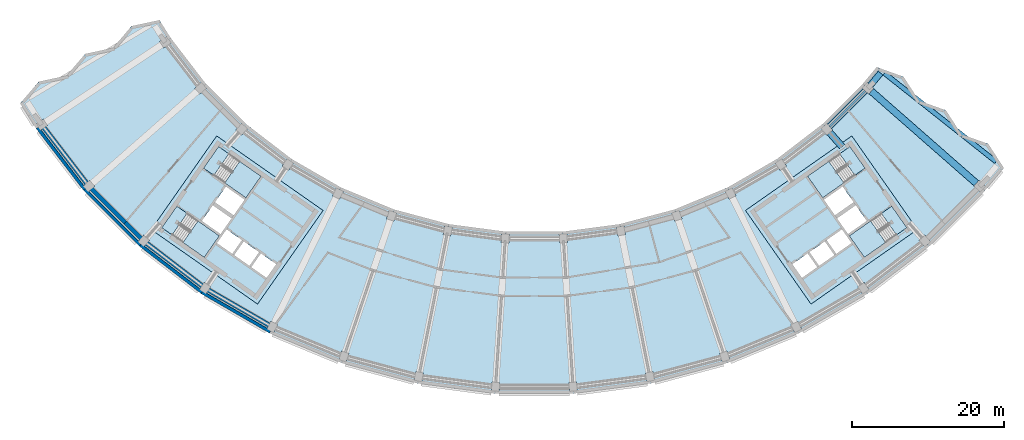
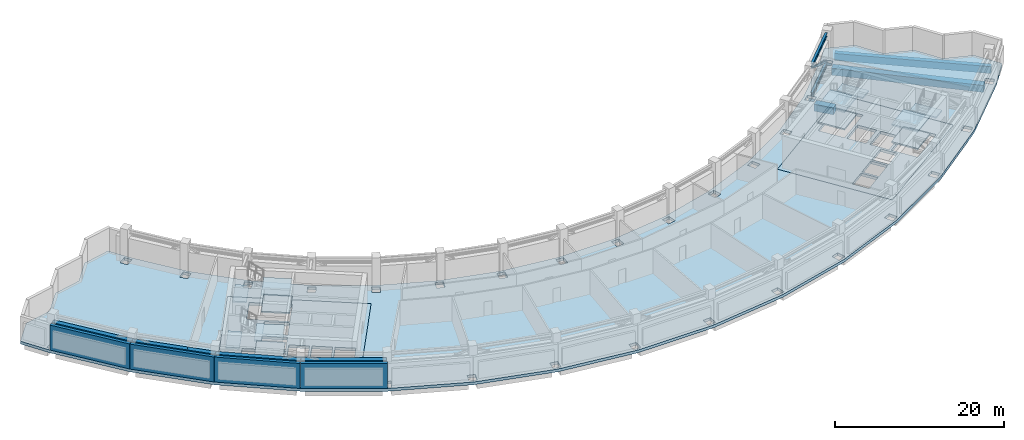
# One storey, part 4 of 24: 15 slabs, 9 walls, 5 beams, 3 members, 4 elements without a shape of their own.
"""IFC4 building model written with IfcOpenShell, lengths in metres."""

from ifc_helpers import new_model, si_unit, direction, frame, frame_2d, origin, origin_2d, place, context, subcontext, project, spatial, polyline, rectangle, hollow_rectangle, i_section, outline, extrude, material, layer, layer_set, material_profile, profile_set, type_object, element, aggregate, save


model = new_model("IFC4")

# Units and contexts
model_context = context("Model", 3, precision=1e-05, world=origin(), true_north=direction((0.0, 1.0)))
body_context = subcontext(model_context, "Body", "Model", "MODEL_VIEW")
ifc_project = project(units=[si_unit("LENGTHUNIT", "METRE"), si_unit("AREAUNIT", "SQUARE_METRE"), si_unit("VOLUMEUNIT", "CUBIC_METRE"), si_unit("PLANEANGLEUNIT", "RADIAN"), si_unit("MASSUNIT", "GRAM", prefix="KILO")], contexts=[model_context])

# Site, building, storey
site_placement = place(None, origin())
site = spatial("IfcSite", under=ifc_project, at=site_placement, CompositionType="ELEMENT")
building_placement = place(site_placement, origin())
building = spatial("IfcBuilding", under=site, at=building_placement, Name="Qamariyya Broadcast Tower", CompositionType="ELEMENT")
storey_placement = place(building_placement, frame((0.0, 0.0, 253.10009765625)))
storey = spatial("IfcBuildingStorey", under=building, at=storey_placement, Name="L61", CompositionType="ELEMENT", Elevation=253.10009765625)

# Members
ifc_material_1 = material(Name="Steel S355", Category="steel")
ifc_material_profile_1 = material_profile(ifc_material_1, i_section(OverallWidth=0.300048828125, OverallDepth=0.5, WebThickness=0.014404296875, FlangeThickness=0.028076171875, FilletRadius=0.027099609375, at=origin_2d()))
ifc_profile_set_1 = profile_set([ifc_material_profile_1], Name="Steel S355")
member_type_1 = type_object("IfcMemberType", Name="Belt truss bottom chord HEB 500", PredefinedType="CHORD", material=ifc_profile_set_1)
member_1_placement = place(storey_placement, frame((38.76123046875, -43.4404296875, 0.25), z_axis=(0.707106781187, 0.707106781187, 0.0), x_axis=(-0.707106781187, 0.707106781187, 0.0)))
element("IfcMember", 1, at=member_1_placement, inside=storey, type_object=member_type_1, Name="Belt truss bottom chord T28 L61 B-R16", PredefinedType="CHORD", context=body_context, shape_type="SweptSolid", body=[
    extrude(i_section(OverallWidth=0.300048828125, OverallDepth=0.5, WebThickness=0.014404296875, FlangeThickness=0.028076171875, FilletRadius=0.027099609375, at=origin_2d()), origin(), (0.0, 0.0, 1.0), 6.617431640625),
])
ifc_material_profile_2 = material_profile(ifc_material_1, hollow_rectangle(XDim=0.25, YDim=0.25, WallThickness=0.010009765625, InnerFilletRadius=0.010009765625, OuterFilletRadius=0.02001953125, at=origin_2d()))
ifc_profile_set_2 = profile_set([ifc_material_profile_2], Name="Steel S355")
member_type_2 = type_object("IfcMemberType", Name="Belt truss diagonal RHS 250x250x10", PredefinedType="BRACE", material=ifc_profile_set_2)
member_2_placement = place(storey_placement, frame((38.804443359375, -43.397216796875, 4.089599609375), z_axis=(0.623302826778, 0.623302826778, -0.472215175805), x_axis=(-0.707106781187, 0.707106781187, 0.0)))
element("IfcMember", 2, at=member_2_placement, inside=storey, type_object=member_type_2, Name="Belt truss diagonal T29 L61 B-R16", PredefinedType="BRACE", context=body_context, shape_type="SweptSolid", body=[
    extrude(hollow_rectangle(XDim=0.25, YDim=0.25, WallThickness=0.010009765625, InnerFilletRadius=0.010009765625, OuterFilletRadius=0.02001953125, at=origin_2d()), origin(), (0.0, 0.0, 1.0), 7.368408203125),
])
ifc_material_profile_3 = material_profile(ifc_material_1, i_section(OverallWidth=0.300048828125, OverallDepth=0.5, WebThickness=0.014404296875, FlangeThickness=0.028076171875, FilletRadius=0.027099609375, at=origin_2d()))
ifc_profile_set_3 = profile_set([ifc_material_profile_3], Name="Steel S355")
member_type_3 = type_object("IfcMemberType", Name="Belt truss top chord HEB 500", PredefinedType="CHORD", material=ifc_profile_set_3)
member_3_placement = place(storey_placement, frame((38.76123046875, -43.4404296875, 4.449951171875), z_axis=(0.707106781187, 0.707106781187, 0.0), x_axis=(-0.707106781187, 0.707106781187, 0.0)))
element("IfcMember", 3, at=member_3_placement, inside=storey, type_object=member_type_3, Name="Belt truss top chord T27 L61 B-R16", PredefinedType="CHORD", context=body_context, shape_type="SweptSolid", body=[
    extrude(i_section(OverallWidth=0.300048828125, OverallDepth=0.5, WebThickness=0.014404296875, FlangeThickness=0.028076171875, FilletRadius=0.027099609375, at=origin_2d()), origin(), (0.0, 0.0, 1.0), 6.617431640625),
])

# Beams
ifc_material_2 = material(Name="Concrete C40/50", Category="concrete")
ifc_material_profile_4 = material_profile(ifc_material_2, rectangle(XDim=0.800048828125, YDim=1.0, at=origin_2d()))
ifc_profile_set_4 = profile_set([ifc_material_profile_4], Name="Concrete C40/50")
beam_type_1 = type_object("IfcBeamType", Name="RC edge beam 800 x 1000 C40/50", PredefinedType="SPANDREL", material=ifc_profile_set_4)
beam_1_placement = place(storey_placement, frame((38.76123046875, -43.4404296875, -0.900146484375), z_axis=(0.707106781187, 0.707106781187, 0.0), x_axis=(-0.707106781187, 0.707106781187, 0.0)))
element("IfcBeam", 4, at=beam_1_placement, inside=storey, type_object=beam_type_1, Name="Edge beam B24 L61 B R16-R17", PredefinedType="SPANDREL", context=body_context, shape_type="SweptSolid", body=[
    extrude(rectangle(XDim=0.800048828125, YDim=1.0, at=origin_2d()), origin(), (0.0, 0.0, 1.0), 6.617431640625),
])
ifc_material_profile_5 = material_profile(ifc_material_2, rectangle(XDim=0.800048828125, YDim=1.0, at=origin_2d()))
ifc_profile_set_5 = profile_set([ifc_material_profile_5], Name="Concrete C40/50")
beam_type_2 = type_object("IfcBeamType", Name="RC horn beam 800 x 1000 C40/50", PredefinedType="BEAM", material=ifc_profile_set_5)
beam_2_placement = place(storey_placement, frame((44.114990234375, -38.022705078125, -0.900146484375), z_axis=(0.640506068258, 0.767953108285, 0.0), x_axis=(-0.767953108285, 0.640506068258, 0.0)))
element("IfcBeam", 5, at=beam_2_placement, inside=storey, type_object=beam_type_2, Name="Horn beam B25 L61 E B-R17", PredefinedType="BEAM", context=body_context, shape_type="SweptSolid", body=[
    extrude(rectangle(XDim=0.800048828125, YDim=1.0, at=origin_2d()), origin(), (0.0, 0.0, 1.0), 2.08984375),
])
ifc_material_profile_6 = material_profile(ifc_material_2, rectangle(XDim=0.60009765625, YDim=1.0, at=origin_2d()))
ifc_profile_set_6 = profile_set([ifc_material_profile_6], Name="Concrete C40/50")
beam_type_3 = type_object("IfcBeamType", Name="RC horn cap beam 600 x 1000 C40/50", PredefinedType="BEAM", material=ifc_profile_set_6)
beam_3_placement = place(storey_placement, frame((45.959228515625, -36.435791015625, -0.900146484375), z_axis=(0.783611202233, -0.621251546263, 0.0), x_axis=(0.621251546263, 0.783611202233, 0.0)))
element("IfcBeam", 6, at=beam_3_placement, inside=storey, type_object=beam_type_3, Name="Horn cap beam B26 L61 E B-C", PredefinedType="BEAM", context=body_context, shape_type="SweptSolid", body=[
    extrude(rectangle(XDim=0.60009765625, YDim=1.0, at=origin_2d()), origin(), (0.0, 0.0, 1.0), 18.699951171875),
])
ifc_material_profile_7 = material_profile(ifc_material_2, rectangle(XDim=0.89990234375, YDim=1.0, at=origin_2d()))
ifc_profile_set_7 = profile_set([ifc_material_profile_7], Name="Concrete C40/50")
beam_type_4 = type_object("IfcBeamType", Name="RC radial beam 900 x 1000 C40/50", PredefinedType="BEAM", material=ifc_profile_set_7)
beam_4_placement = place(storey_placement, frame((38.7861328125, -44.22705078125, -0.900146484375), z_axis=(0.659347500472, -0.751838329444, 0.0), x_axis=(0.751838329444, 0.659347500472, 0.0)))
element("IfcBeam", 7, at=beam_4_placement, inside=storey, type_object=beam_type_4, Name="Radial beam B23 L61 R16 B-C", PredefinedType="BEAM", context=body_context, shape_type="SweptSolid", body=[
    extrude(rectangle(XDim=0.89990234375, YDim=1.0, at=origin_2d()), origin(), (0.0, 0.0, 1.0), 2.43896484375),
])
beam_5_placement = place(storey_placement, frame((44.22705078125, -38.7861328125, -0.900146484375), z_axis=(0.751840222646, -0.659345341692, 0.0), x_axis=(0.659345341692, 0.751840222646, 0.0)))
element("IfcBeam", 8, at=beam_5_placement, inside=storey, type_object=beam_type_4, Name="Radial beam B23 L61 R17 B-C", PredefinedType="BEAM", context=body_context, shape_type="SweptSolid", body=[
    extrude(rectangle(XDim=0.89990234375, YDim=1.0, at=origin_2d()), origin(), (0.0, 0.0, 1.0), 18.349853515625),
])

# Slabs
ifc_layer_1 = layer(ifc_material_2, 0.39990234375)
ifc_layer_set_1 = layer_set([ifc_layer_1], Name="Core floor slab 400 mm Concrete C40/50")
slab_type_1 = type_object("IfcSlabType", Name="Core floor slab 400 mm Concrete C40/50", PredefinedType="FLOOR", material=ifc_layer_set_1)
slab_1_placement = place(storey_placement, frame((0.0, 0.0, -0.400146484375)))
element("IfcSlab", 9, at=slab_1_placement, inside=storey, type_object=slab_type_1, Name="k-W-L61-slab", PredefinedType="FLOOR", context=body_context, shape_type="SweptSolid", body=[
    extrude(outline(polyline([(-50.286376953125, -56.95751953125), (-36.32373046875, -66.734375), (-27.719970703125, -54.447021484375), (-41.6826171875, -44.67041015625), (-50.286376953125, -56.95751953125)]), holes=[polyline([(-33.87353515625, -61.49169921875), (-35.88037109375, -60.08642578125), (-37.142333984375, -61.888427734375), (-35.13525390625, -63.293701171875), (-33.87353515625, -61.49169921875)]), polyline([(-36.126220703125, -59.914306640625), (-38.133056640625, -58.509033203125), (-39.394775390625, -60.311279296875), (-37.387939453125, -61.716552734375), (-36.126220703125, -59.914306640625)]), polyline([(-38.378662109375, -58.3369140625), (-40.3857421875, -56.931640625), (-41.6474609375, -58.73388671875), (-39.640625, -60.13916015625), (-38.378662109375, -58.3369140625)]), polyline([(-39.742431640625, -55.489990234375), (-42.199951171875, -53.769287109375), (-43.6337890625, -55.817138671875), (-41.17626953125, -57.537841796875), (-39.742431640625, -55.489990234375)]), polyline([(-39.45556640625, -55.080322265625), (-41.9130859375, -53.359619140625), (-40.47900390625, -51.311767578125), (-38.021728515625, -53.032470703125), (-39.45556640625, -55.080322265625)]), polyline([(-42.06103515625, -49.837890625), (-37.849609375, -52.78662109375), (-35.870849609375, -49.960693359375), (-40.082275390625, -47.01171875), (-42.06103515625, -49.837890625)]), polyline([(-47.538818359375, -57.66064453125), (-43.3271484375, -60.609619140625), (-41.348388671875, -57.783447265625), (-45.559814453125, -54.834716796875), (-47.538818359375, -57.66064453125)])]), origin(), (0.0, 0.0, 1.0), 0.400146484375),
])
slab_2_placement = place(storey_placement, frame((0.0, 0.0, -0.400146484375)))
element("IfcSlab", 10, at=slab_2_placement, inside=storey, type_object=slab_type_1, Name="k-E-L61-slab", PredefinedType="FLOOR", context=body_context, shape_type="SweptSolid", body=[
    extrude(outline(polyline([(36.32373046875, -66.734375), (50.286376953125, -56.95751953125), (41.6826171875, -44.67041015625), (27.719970703125, -54.447021484375), (36.32373046875, -66.734375)]), holes=[polyline([(33.87353515625, -61.49169921875), (35.88037109375, -60.08642578125), (37.142333984375, -61.888427734375), (35.13525390625, -63.293701171875), (33.87353515625, -61.49169921875)]), polyline([(36.126220703125, -59.914306640625), (38.133056640625, -58.509033203125), (39.394775390625, -60.311279296875), (37.387939453125, -61.716552734375), (36.126220703125, -59.914306640625)]), polyline([(38.378662109375, -58.3369140625), (40.3857421875, -56.931640625), (41.6474609375, -58.73388671875), (39.640625, -60.13916015625), (38.378662109375, -58.3369140625)]), polyline([(39.742431640625, -55.489990234375), (42.199951171875, -53.769287109375), (43.6337890625, -55.817138671875), (41.17626953125, -57.537841796875), (39.742431640625, -55.489990234375)]), polyline([(39.45556640625, -55.080322265625), (41.9130859375, -53.359619140625), (40.47900390625, -51.311767578125), (38.021728515625, -53.032470703125), (39.45556640625, -55.080322265625)]), polyline([(40.082275390625, -47.01171875), (35.870849609375, -49.960693359375), (37.849609375, -52.78662109375), (42.06103515625, -49.837890625), (40.082275390625, -47.01171875)]), polyline([(45.559814453125, -54.834716796875), (41.348388671875, -57.783447265625), (43.3271484375, -60.609619140625), (47.538818359375, -57.66064453125), (45.559814453125, -54.834716796875)])]), origin(), (0.0, 0.0, 1.0), 0.400146484375),
])
ifc_layer_2 = layer(ifc_material_2, 0.39990234375)
ifc_layer_set_2 = layer_set([ifc_layer_2], Name="Post-tensioned floor slab 400 C40/50")
slab_type_2 = type_object("IfcSlabType", Name="Post-tensioned floor slab 400 C40/50", PredefinedType="FLOOR", material=ifc_layer_set_2)
slab_3_placement = place(storey_placement, frame((0.0, 0.0, -0.400146484375)))
element("IfcSlab", 11, at=slab_3_placement, inside=storey, type_object=slab_type_2, Name="Floor slab S3 L61", PredefinedType="FLOOR", context=body_context, shape_type="SweptSolid", body=[
    extrude(outline(polyline([(-65.044189453125, -37.540283203125), (-67.48193359375, -40.398193359375), (-65.39501953125, -43.695556640625), (-59.132080078125, -51.857666015625), (-51.857666015625, -59.132080078125), (-43.695556640625, -65.39501953125), (-34.785888671875, -70.5390625), (-25.28125, -74.47607421875), (-15.34375, -77.138671875), (-5.14404296875, -78.481689453125), (5.14404296875, -78.481689453125), (15.34375, -77.138671875), (25.28125, -74.47607421875), (34.785888671875, -70.5390625), (43.695556640625, -65.39501953125), (51.857666015625, -59.132080078125), (59.132080078125, -51.857666015625), (61.631591796875, -48.86083984375), (59.587646484375, -45.708984375), (56.06787109375, -44.449951171875), (54.023193359375, -41.297607421875), (50.504150390625, -40.0390625), (48.45849609375, -36.885986328125), (44.9404296875, -35.628173828125), (43.117919921875, -37.8134765625), (37.8134765625, -43.117919921875), (31.862060546875, -47.684814453125), (25.365234375, -51.435546875), (18.4345703125, -54.306396484375), (11.1884765625, -56.248046875), (3.7509765625, -57.227294921875), (-3.7509765625, -57.227294921875), (-11.1884765625, -56.248046875), (-18.4345703125, -54.306396484375), (-25.365234375, -51.435546875), (-31.862060546875, -47.684814453125), (-37.8134765625, -43.117919921875), (-43.117919921875, -37.8134765625), (-47.684814453125, -31.862060546875), (-49.20654296875, -29.45751953125), (-52.858642578125, -30.245361328125), (-55.29833984375, -33.1044921875), (-58.951416015625, -33.892822265625), (-61.39013671875, -36.751220703125), (-65.044189453125, -37.540283203125)]), holes=[polyline([(-5.62158203125, -78.12451171875), (-5.54638671875, -76.97705078125), (-4.548583984375, -77.04248046875), (-4.623779296875, -78.18994140625), (-5.62158203125, -78.12451171875)]), polyline([(-15.770751953125, -76.722412109375), (-15.54638671875, -75.594482421875), (-14.565673828125, -75.78955078125), (-14.7900390625, -76.91748046875), (-15.770751953125, -76.722412109375)]), polyline([(-25.650146484375, -74.007568359375), (-25.280517578125, -72.918701171875), (-24.333740234375, -73.239990234375), (-24.703369140625, -74.3291015625), (-25.650146484375, -74.007568359375)]), polyline([(-35.090576171875, -70.0263671875), (-34.58203125, -68.9951171875), (-33.685302734375, -69.437255859375), (-34.19384765625, -70.46875), (-35.090576171875, -70.0263671875)]), polyline([(-43.9306640625, -64.84716796875), (-43.291748046875, -63.890869140625), (-42.46044921875, -64.446533203125), (-43.099365234375, -65.402587890625), (-43.9306640625, -64.84716796875)]), polyline([(-52.019287109375, -58.55810546875), (-51.260986328125, -57.693603515625), (-50.509033203125, -58.35302734375), (-51.267333984375, -59.217529296875), (-52.019287109375, -58.55810546875)]), polyline([(-11.966552734375, -57.59716796875), (-11.7421875, -56.46923828125), (-10.761474609375, -56.664306640625), (-10.98583984375, -57.792236328125), (-11.966552734375, -57.59716796875)]), polyline([(-50.286376953125, -56.95751953125), (-41.6826171875, -44.67041015625), (-27.719970703125, -54.447021484375), (-36.32373046875, -66.734375), (-50.286376953125, -56.95751953125)]), polyline([(-19.382080078125, -55.54248046875), (-19.012451171875, -54.453369140625), (-18.065673828125, -54.77490234375), (-18.435302734375, -55.86376953125), (-19.382080078125, -55.54248046875)]), polyline([(-26.466064453125, -52.537353515625), (-25.95751953125, -51.506103515625), (-25.060546875, -51.9482421875), (-25.569091796875, -52.979736328125), (-26.466064453125, -52.537353515625)]), polyline([(-59.217529296875, -51.267333984375), (-58.35302734375, -50.509033203125), (-57.693603515625, -51.260986328125), (-58.55810546875, -52.019287109375), (-59.217529296875, -51.267333984375)]), polyline([(-33.09716796875, -48.63330078125), (-32.458251953125, -47.67724609375), (-31.626708984375, -48.23291015625), (-32.265625, -49.18896484375), (-33.09716796875, -48.63330078125)]), polyline([(-39.161865234375, -43.897216796875), (-38.40380859375, -43.03271484375), (-37.65185546875, -43.692138671875), (-38.41015625, -44.556640625), (-39.161865234375, -43.897216796875)]), polyline([(-65.402587890625, -43.099365234375), (-64.446533203125, -42.46044921875), (-63.890869140625, -43.291748046875), (-64.84716796875, -43.9306640625), (-65.402587890625, -43.099365234375)]), polyline([(-44.556640625, -38.41015625), (-43.692138671875, -37.65185546875), (-43.03271484375, -38.40380859375), (-43.897216796875, -39.161865234375), (-44.556640625, -38.41015625)]), polyline([(-49.18896484375, -32.265625), (-48.23291015625, -31.626708984375), (-47.67724609375, -32.458251953125), (-48.63330078125, -33.09716796875), (-49.18896484375, -32.265625)]), polyline([(4.623779296875, -78.18994140625), (4.548583984375, -77.04248046875), (5.54638671875, -76.97705078125), (5.62158203125, -78.12451171875), (4.623779296875, -78.18994140625)]), polyline([(14.7900390625, -76.91748046875), (14.565673828125, -75.78955078125), (15.54638671875, -75.594482421875), (15.770751953125, -76.722412109375), (14.7900390625, -76.91748046875)]), polyline([(24.703369140625, -74.3291015625), (24.333740234375, -73.239990234375), (25.280517578125, -72.918701171875), (25.650146484375, -74.007568359375), (24.703369140625, -74.3291015625)]), polyline([(34.19384765625, -70.46875), (33.685302734375, -69.437255859375), (34.58203125, -68.9951171875), (35.090576171875, -70.0263671875), (34.19384765625, -70.46875)]), polyline([(43.099365234375, -65.402587890625), (42.46044921875, -64.446533203125), (43.291748046875, -63.890869140625), (43.9306640625, -64.84716796875), (43.099365234375, -65.402587890625)]), polyline([(51.267333984375, -59.217529296875), (50.509033203125, -58.35302734375), (51.260986328125, -57.693603515625), (52.019287109375, -58.55810546875), (51.267333984375, -59.217529296875)]), polyline([(-4.34619140625, -58.666259765625), (-4.27099609375, -57.518798828125), (-3.273193359375, -57.584228515625), (-3.348388671875, -58.731689453125), (-4.34619140625, -58.666259765625)]), polyline([(3.348388671875, -58.731689453125), (3.273193359375, -57.584228515625), (4.27099609375, -57.518798828125), (4.34619140625, -58.666259765625), (3.348388671875, -58.731689453125)]), polyline([(10.98583984375, -57.792236328125), (10.761474609375, -56.664306640625), (11.7421875, -56.46923828125), (11.966552734375, -57.59716796875), (10.98583984375, -57.792236328125)]), polyline([(36.32373046875, -66.734375), (27.719970703125, -54.447021484375), (41.6826171875, -44.67041015625), (50.286376953125, -56.95751953125), (36.32373046875, -66.734375)]), polyline([(18.435302734375, -55.86376953125), (18.065673828125, -54.77490234375), (19.012451171875, -54.453369140625), (19.382080078125, -55.54248046875), (18.435302734375, -55.86376953125)]), polyline([(25.569091796875, -52.979736328125), (25.060546875, -51.9482421875), (25.95751953125, -51.506103515625), (26.466064453125, -52.537353515625), (25.569091796875, -52.979736328125)]), polyline([(58.55810546875, -52.019287109375), (57.693603515625, -51.260986328125), (58.35302734375, -50.509033203125), (59.217529296875, -51.267333984375), (58.55810546875, -52.019287109375)]), polyline([(32.265625, -49.18896484375), (31.626708984375, -48.23291015625), (32.458251953125, -47.67724609375), (33.09716796875, -48.63330078125), (32.265625, -49.18896484375)]), polyline([(38.41015625, -44.556640625), (37.65185546875, -43.692138671875), (38.40380859375, -43.03271484375), (39.161865234375, -43.897216796875), (38.41015625, -44.556640625)]), polyline([(43.897216796875, -39.161865234375), (43.03271484375, -38.40380859375), (43.692138671875, -37.65185546875), (44.556640625, -38.41015625), (43.897216796875, -39.161865234375)])]), origin(), (0.0, 0.0, 1.0), 0.400146484375),
])

# Stair, slabs
ifc_material_3 = material(Name="Concrete C50/60", Category="concrete")
stair_type = type_object("IfcStairType", Name="Exit stair 28 risers of 179 mm", PredefinedType="HALF_TURN_STAIR", material=ifc_material_3)
stair_1_placement = place(storey_placement, origin())
stair_1 = element("IfcStair", 12, at=stair_1_placement, inside=storey, type_object=stair_type, Name="L61 Stair W2", PredefinedType="HALF_TURN_STAIR")
ifc_layer_3 = layer(ifc_material_3, 0.199951171875)
ifc_layer_set_3 = layer_set([ifc_layer_3], Name="Stair landing")
slab_type_3 = type_object("IfcSlabType", Name="Stair landing", PredefinedType="LANDING", material=ifc_layer_set_3)
slab_4_placement = place(storey_placement, frame((0.0, 0.0, 1.0498046875)))
slab_4 = element("IfcSlab", 13, at=slab_4_placement, type_object=slab_type_3, Name="ST-W2 landing 1", PredefinedType="LANDING", context=body_context, shape_type="SweptSolid", body=[
    extrude(outline(polyline([(-40.642333984375, -50.831298828125), (-37.849609375, -52.78662109375), (-35.870849609375, -49.960693359375), (-38.66357421875, -48.005126953125), (-40.642333984375, -50.831298828125)])), origin(), (0.0, 0.0, 1.0), 0.2001953125),
])
slab_5_placement = place(storey_placement, frame((0.0, 0.0, 2.2998046875)))
slab_5 = element("IfcSlab", 14, at=slab_5_placement, type_object=slab_type_3, Name="ST-W2 landing 2", PredefinedType="LANDING", context=body_context, shape_type="SweptSolid", body=[
    extrude(outline(polyline([(-43.416015625, -48.88916015625), (-42.06103515625, -49.837890625), (-40.082275390625, -47.01171875), (-41.437255859375, -46.06298828125), (-43.416015625, -48.88916015625)])), origin(), (0.0, 0.0, 1.0), 0.2001953125),
])
slab_6_placement = place(storey_placement, frame((0.0, 0.0, 3.5498046875)))
slab_6 = element("IfcSlab", 15, at=slab_6_placement, type_object=slab_type_3, Name="ST-W2 landing 3", PredefinedType="LANDING", context=body_context, shape_type="SweptSolid", body=[
    extrude(outline(polyline([(-40.642333984375, -50.831298828125), (-37.849609375, -52.78662109375), (-35.870849609375, -49.960693359375), (-38.66357421875, -48.005126953125), (-40.642333984375, -50.831298828125)])), origin(), (0.0, 0.0, 1.0), 0.2001953125),
])
aggregate(stair_1, [slab_4, slab_5, slab_6])

stair_2_placement = place(storey_placement, origin())
stair_2 = element("IfcStair", 16, at=stair_2_placement, inside=storey, type_object=stair_type, Name="L61 Stair W1", PredefinedType="HALF_TURN_STAIR")
slab_7_placement = place(storey_placement, frame((0.0, 0.0, 1.0498046875)))
slab_7 = element("IfcSlab", 17, at=slab_7_placement, type_object=slab_type_3, Name="ST-W1 landing 1", PredefinedType="LANDING", context=body_context, shape_type="SweptSolid", body=[
    extrude(outline(polyline([(-46.1201171875, -58.654052734375), (-43.3271484375, -60.609619140625), (-41.348388671875, -57.783447265625), (-44.14111328125, -55.828125), (-46.1201171875, -58.654052734375)])), origin(), (0.0, 0.0, 1.0), 0.2001953125),
])
slab_8_placement = place(storey_placement, frame((0.0, 0.0, 2.2998046875)))
slab_8 = element("IfcSlab", 18, at=slab_8_placement, type_object=slab_type_3, Name="ST-W1 landing 2", PredefinedType="LANDING", context=body_context, shape_type="SweptSolid", body=[
    extrude(outline(polyline([(-48.8935546875, -56.7119140625), (-47.538818359375, -57.66064453125), (-45.559814453125, -54.834716796875), (-46.914794921875, -53.885986328125), (-48.8935546875, -56.7119140625)])), origin(), (0.0, 0.0, 1.0), 0.2001953125),
])
slab_9_placement = place(storey_placement, frame((0.0, 0.0, 3.5498046875)))
slab_9 = element("IfcSlab", 19, at=slab_9_placement, type_object=slab_type_3, Name="ST-W1 landing 3", PredefinedType="LANDING", context=body_context, shape_type="SweptSolid", body=[
    extrude(outline(polyline([(-46.1201171875, -58.654052734375), (-43.3271484375, -60.609619140625), (-41.348388671875, -57.783447265625), (-44.14111328125, -55.828125), (-46.1201171875, -58.654052734375)])), origin(), (0.0, 0.0, 1.0), 0.2001953125),
])
aggregate(stair_2, [slab_7, slab_8, slab_9])

stair_3_placement = place(storey_placement, origin())
stair_3 = element("IfcStair", 20, at=stair_3_placement, inside=storey, type_object=stair_type, Name="L61 Stair E2", PredefinedType="HALF_TURN_STAIR")
slab_10_placement = place(storey_placement, frame((0.0, 0.0, 1.0498046875)))
slab_10 = element("IfcSlab", 21, at=slab_10_placement, type_object=slab_type_3, Name="ST-E2 landing 1", PredefinedType="LANDING", context=body_context, shape_type="SweptSolid", body=[
    extrude(outline(polyline([(38.66357421875, -48.005126953125), (35.870849609375, -49.960693359375), (37.849609375, -52.78662109375), (40.642333984375, -50.831298828125), (38.66357421875, -48.005126953125)])), origin(), (0.0, 0.0, 1.0), 0.2001953125),
])
slab_11_placement = place(storey_placement, frame((0.0, 0.0, 2.2998046875)))
slab_11 = element("IfcSlab", 22, at=slab_11_placement, type_object=slab_type_3, Name="ST-E2 landing 2", PredefinedType="LANDING", context=body_context, shape_type="SweptSolid", body=[
    extrude(outline(polyline([(41.437255859375, -46.06298828125), (40.082275390625, -47.01171875), (42.06103515625, -49.837890625), (43.416015625, -48.88916015625), (41.437255859375, -46.06298828125)])), origin(), (0.0, 0.0, 1.0), 0.2001953125),
])
slab_12_placement = place(storey_placement, frame((0.0, 0.0, 3.5498046875)))
slab_12 = element("IfcSlab", 23, at=slab_12_placement, type_object=slab_type_3, Name="ST-E2 landing 3", PredefinedType="LANDING", context=body_context, shape_type="SweptSolid", body=[
    extrude(outline(polyline([(38.66357421875, -48.005126953125), (35.870849609375, -49.960693359375), (37.849609375, -52.78662109375), (40.642333984375, -50.831298828125), (38.66357421875, -48.005126953125)])), origin(), (0.0, 0.0, 1.0), 0.2001953125),
])
aggregate(stair_3, [slab_10, slab_11, slab_12])

stair_4_placement = place(storey_placement, origin())
stair_4 = element("IfcStair", 24, at=stair_4_placement, inside=storey, type_object=stair_type, Name="L61 Stair E1", PredefinedType="HALF_TURN_STAIR")
slab_13_placement = place(storey_placement, frame((0.0, 0.0, 1.0498046875)))
slab_13 = element("IfcSlab", 25, at=slab_13_placement, type_object=slab_type_3, Name="ST-E1 landing 1", PredefinedType="LANDING", context=body_context, shape_type="SweptSolid", body=[
    extrude(outline(polyline([(44.14111328125, -55.828125), (41.348388671875, -57.783447265625), (43.3271484375, -60.609619140625), (46.1201171875, -58.654052734375), (44.14111328125, -55.828125)])), origin(), (0.0, 0.0, 1.0), 0.2001953125),
])
slab_14_placement = place(storey_placement, frame((0.0, 0.0, 2.2998046875)))
slab_14 = element("IfcSlab", 26, at=slab_14_placement, type_object=slab_type_3, Name="ST-E1 landing 2", PredefinedType="LANDING", context=body_context, shape_type="SweptSolid", body=[
    extrude(outline(polyline([(46.914794921875, -53.885986328125), (45.559814453125, -54.834716796875), (47.538818359375, -57.66064453125), (48.8935546875, -56.7119140625), (46.914794921875, -53.885986328125)])), origin(), (0.0, 0.0, 1.0), 0.2001953125),
])
slab_15_placement = place(storey_placement, frame((0.0, 0.0, 3.5498046875)))
slab_15 = element("IfcSlab", 27, at=slab_15_placement, type_object=slab_type_3, Name="ST-E1 landing 3", PredefinedType="LANDING", context=body_context, shape_type="SweptSolid", body=[
    extrude(outline(polyline([(44.14111328125, -55.828125), (41.348388671875, -57.783447265625), (43.3271484375, -60.609619140625), (46.1201171875, -58.654052734375), (44.14111328125, -55.828125)])), origin(), (0.0, 0.0, 1.0), 0.2001953125),
])
aggregate(stair_4, [slab_13, slab_14, slab_15])

# Walls
ifc_material_4 = material(Name="Terracotta", Category="masonry")
ifc_layer_4 = layer(ifc_material_4, 0.39990234375)
ifc_layer_set_4 = layer_set([ifc_layer_4], Name="Terracotta clad plant wall 400")
wall_type_1 = type_object("IfcWallType", Name="Terracotta clad plant wall 400", PredefinedType="SOLIDWALL", material=ifc_layer_set_4)
wall_1_placement = place(storey_placement, frame((-65.2080078125, -43.611083984375, 0.0), z_axis=(0.0, 0.0, 1.0), x_axis=(0.608772438843, -0.793344892027, 0.0)))
element("IfcWall", 28, at=wall_1_placement, inside=storey, type_object=wall_type_1, Name="e-wl-L61-out10", PredefinedType="SOLIDWALL", context=body_context, shape_type="SweptSolid", body=[
    extrude(rectangle(XDim=10.17724609375, YDim=0.39990234375, at=frame_2d((5.088623046875, 0.0))), origin(), (0.0, 0.0, 1.0), 3.599853515625),
])
wall_2_placement = place(storey_placement, frame((-58.999267578125, -51.707763671875, 0.0), z_axis=(0.0, 0.0, 1.0), x_axis=(0.707106781187, -0.707106781187, 0.0)))
element("IfcWall", 29, at=wall_2_placement, inside=storey, type_object=wall_type_1, Name="e-wl-L61-out20", PredefinedType="SOLIDWALL", context=body_context, shape_type="SweptSolid", body=[
    extrude(rectangle(XDim=10.311767578125, YDim=0.39990234375, at=frame_2d((5.15576171875, 0.0))), origin(), (0.0, 0.0, 1.0), 3.599853515625),
])
wall_3_placement = place(storey_placement, frame((-51.68505859375, -59.012451171875, 0.0), z_axis=(0.0, 0.0, 1.0), x_axis=(0.793354127537, -0.608760403048, 0.0)))
element("IfcWall", 30, at=wall_3_placement, inside=storey, type_object=wall_type_1, Name="e-wl-L61-out30", PredefinedType="SOLIDWALL", context=body_context, shape_type="SweptSolid", body=[
    extrude(rectangle(XDim=10.16015625, YDim=0.39990234375, at=frame_2d((5.080078125, 0.0))), origin(), (0.0, 0.0, 1.0), 3.599853515625),
])
wall_4_placement = place(storey_placement, frame((-43.60595703125, -65.2158203125, 0.0), z_axis=(0.0, 0.0, 1.0), x_axis=(0.86601841335, -0.500012107593, 0.0)))
element("IfcWall", 31, at=wall_4_placement, inside=storey, type_object=wall_type_1, Name="e-wl-L61-out40", PredefinedType="SOLIDWALL", context=body_context, shape_type="SweptSolid", body=[
    extrude(rectangle(XDim=10.311767578125, YDim=0.39990234375, at=frame_2d((5.15576171875, 0.0))), origin(), (0.0, 0.0, 1.0), 3.599853515625),
])
ifc_material_5 = material(Name="Masonry block wall", Category="masonry")
ifc_layer_5 = layer(ifc_material_5, 0.60009765625)
ifc_layer_set_5 = layer_set([ifc_layer_5], Name="Truss casing wall 600 EI 120")
wall_type_2 = type_object("IfcWallType", Name="Truss casing wall 600 EI 120", PredefinedType="PARTITIONING", material=ifc_layer_set_5)
wall_5_placement = place(storey_placement, frame((-64.64501953125, -43.197998046875, 0.0), z_axis=(0.0, 0.0, 1.0), x_axis=(0.608777573681, -0.793340951787, 0.0)))
element("IfcWall", 32, at=wall_5_placement, inside=storey, type_object=wall_type_2, Name="Partition L61-002", PredefinedType="PARTITIONING", context=body_context, shape_type="SweptSolid", body=[
    extrude(rectangle(XDim=10.14453125, YDim=0.60009765625, at=frame_2d((5.072265625, 0.0))), origin(), (0.0, 0.0, 1.0), 3.599853515625),
])
wall_6_placement = place(storey_placement, frame((-58.439453125, -51.2802734375, 0.0), z_axis=(0.0, 0.0, 1.0), x_axis=(0.707106781187, -0.707106781187, 0.0)))
element("IfcWall", 33, at=wall_6_placement, inside=storey, type_object=wall_type_2, Name="Partition L61-003", PredefinedType="PARTITIONING", context=body_context, shape_type="SweptSolid", body=[
    extrude(rectangle(XDim=6.704345703125, YDim=0.60009765625, at=frame_2d((3.35205078125, 0.0))), origin(), (0.0, 0.0, 1.0), 3.599853515625),
])
wall_7_placement = place(storey_placement, frame((-53.69873046875, -56.02099609375, 0.0), z_axis=(0.0, 0.0, 1.0), x_axis=(0.707106781187, -0.707106781187, 0.0)))
element("IfcWall", 34, at=wall_7_placement, inside=storey, type_object=wall_type_2, Name="Partition L61-004", PredefinedType="PARTITIONING", context=body_context, shape_type="SweptSolid", body=[
    extrude(rectangle(XDim=3.420166015625, YDim=0.60009765625, at=frame_2d((1.7099609375, 0.0))), origin(), (0.0, 0.0, 1.0), 3.599853515625),
])
for number, where, z_axis, x_axis, name in (
    (35, (-51.24609375, -58.46923828125, 0.0), (0.0, 0.0, 1.0), (0.793339659144, -0.608779258212, 0.0), "Partition L61-005"),
    (36, (-43.176025390625, -64.658203125, 0.0), (0.0, 0.0, 1.0), (0.866037016931, -0.4999798849, 0.0), "Partition L61-009"),
):
    element("IfcWall", number, at=place(storey_placement, frame(where, z_axis=z_axis, x_axis=x_axis)), inside=storey, type_object=wall_type_2, Name=name, PredefinedType="PARTITIONING", context=body_context, shape_type="SweptSolid", body=[
        extrude(rectangle(XDim=10.125, YDim=0.60009765625, at=frame_2d((5.0625, 0.0))), origin(), (0.0, 0.0, 1.0), 3.599853515625),
    ])

save(model, "model.ifc")
